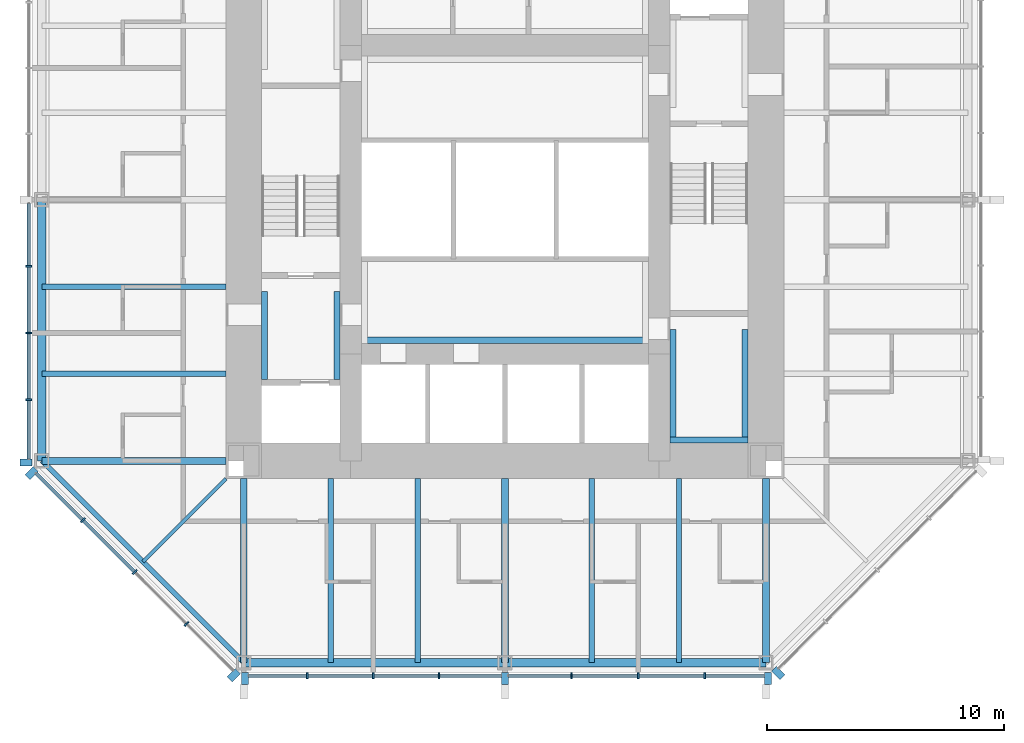
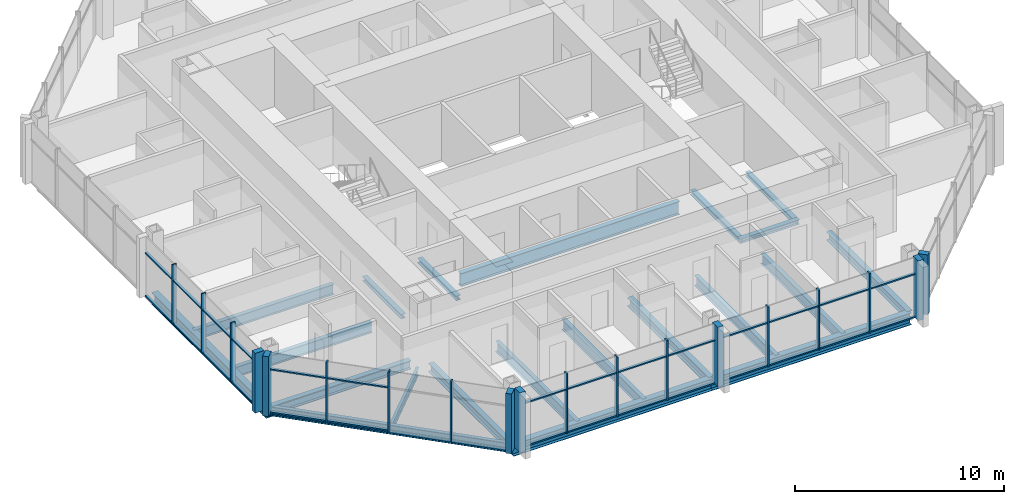
# One storey, part 2 of 12: 47 members, 21 beams, 4 elements without a shape of their own.
"""IFC4 building model written with IfcOpenShell, lengths in metres."""

from ifc_helpers import new_model, si_unit, direction, frame, origin, origin_2d, place, context, subcontext, project, spatial, rectangle, i_section, extrude, material, material_profile, profile_set, type_object, element, aggregate, save


model = new_model("IFC4")

# Units and contexts
model_context = context("Model", 3, precision=1e-05, world=origin(), true_north=direction((0.0, 1.0)))
body_context = subcontext(model_context, "Body", "Model", "MODEL_VIEW")
ifc_project = project(units=[si_unit("LENGTHUNIT", "METRE"), si_unit("AREAUNIT", "SQUARE_METRE"), si_unit("VOLUMEUNIT", "CUBIC_METRE"), si_unit("PLANEANGLEUNIT", "RADIAN"), si_unit("MASSUNIT", "GRAM", prefix="KILO")], contexts=[model_context])

# Site, building, storey
site_placement = place(None, origin())
site = spatial("IfcSite", under=ifc_project, at=site_placement, CompositionType="ELEMENT")
building_placement = place(site_placement, origin())
building = spatial("IfcBuilding", under=site, at=building_placement, Name="Trevanion Tower", CompositionType="ELEMENT")
storey_placement = place(building_placement, frame((0.0, 0.0, 204.699951171875)))
storey = spatial("IfcBuildingStorey", under=building, at=storey_placement, Name="L48", CompositionType="ELEMENT", Elevation=204.699951171875)

# Beams
ifc_material_1 = material(Name="Steel ASTM A992 Grade 50", Category="steel")
ifc_material_profile_1 = material_profile(ifc_material_1, i_section(OverallWidth=0.228271484375, OverallDepth=0.607177734375, WebThickness=0.01123046875, FlangeThickness=0.017333984375, at=origin_2d()), Name="W24X76")
ifc_profile_set_1 = profile_set([ifc_material_profile_1], Name="Steel ASTM A992 Grade 50")
beam_type_1 = type_object("IfcBeamType", Name="B11 W24X76", PredefinedType="BEAM", material=ifc_profile_set_1)
for number, where, z_axis, x_axis, name in (
    (1, (-11.75, -3.666748046875, -0.493408203125), (-1.0, 0.0, 0.0), (0.0, -1.0, 0.0), "B11 L48"),
    (2, (-11.75, -7.333251953125, -0.493408203125), (-1.0, 0.0, 0.0), (0.0, -1.0, 0.0), "B11 L48"),
    (3, (-7.333251953125, -11.75, -0.493408203125), (0.0, -1.0, 0.0), (1.0, 0.0, 0.0), "B11 L48"),
    (4, (-3.666748046875, -11.75, -0.493408203125), (0.0, -1.0, 0.0), (1.0, 0.0, 0.0), "B11 L48"),
    (5, (3.666748046875, -11.75, -0.493408203125), (0.0, -1.0, 0.0), (1.0, 0.0, 0.0), "B11 L48"),
    (6, (7.333251953125, -11.75, -0.493408203125), (0.0, -1.0, 0.0), (1.0, 0.0, 0.0), "B11 L48"),
):
    element("IfcBeam", number, at=place(storey_placement, frame(where, z_axis=z_axis, x_axis=x_axis)), inside=storey, type_object=beam_type_1, Name=name, PredefinedType="BEAM", context=body_context, shape_type="SweptSolid", body=[
        extrude(i_section(OverallWidth=0.228271484375, OverallDepth=0.607177734375, WebThickness=0.01123046875, FlangeThickness=0.017333984375, at=origin_2d()), origin(), (0.0, 0.0, 1.0), 7.75),
    ])
ifc_material_2 = material(Name="Steel ASTM A992 Grade 50", Category="steel")
ifc_material_profile_2 = material_profile(ifc_material_2, i_section(OverallWidth=0.15234375, OverallDepth=0.449462890625, WebThickness=0.007568359375, FlangeThickness=0.0107421875, at=origin_2d()), Name="W18X35")
ifc_profile_set_2 = profile_set([ifc_material_profile_2], Name="Steel ASTM A992 Grade 50")
beam_type_2 = type_object("IfcBeamType", Name="B12 W18X35", PredefinedType="BEAM", material=ifc_profile_set_2)
beam_1_placement = place(storey_placement, frame((-11.75, -11.75, -0.414794921875), z_axis=(-0.707106781187, -0.707106781187, 0.0), x_axis=(0.707106781187, -0.707106781187, 0.0)))
element("IfcBeam", 7, at=beam_1_placement, inside=storey, type_object=beam_type_2, Name="B12 L48", PredefinedType="BEAM", context=body_context, shape_type="SweptSolid", body=[
    extrude(i_section(OverallWidth=0.15234375, OverallDepth=0.449462890625, WebThickness=0.007568359375, FlangeThickness=0.0107421875, at=origin_2d()), origin(), (0.0, 0.0, 1.0), 4.94970703125),
])

# Curtain wall, members
ifc_material_3 = material(Name="Aluminium and glass", Category="aluminium")
curtain_wall_type = type_object("IfcCurtainWallType", Name="CW3 curtain wall", PredefinedType="USERDEFINED", material=ifc_material_3)
curtain_wall_1_placement = place(storey_placement, origin())
curtain_wall_1 = element("IfcCurtainWall", 8, at=curtain_wall_1_placement, inside=storey, type_object=curtain_wall_type, Name="CW3 L48 4", ObjectType="UNITISED CURTAIN WALL", PredefinedType="USERDEFINED")
ifc_material_4 = material(Name="Aluminium extrusion, anodised bronze", Category="aluminium")
ifc_material_profile_3 = material_profile(ifc_material_4, rectangle(XDim=0.074951171875, YDim=0.25, at=origin_2d()), Name="CW3 mullion")
ifc_profile_set_3 = profile_set([ifc_material_profile_3], Name="Aluminium extrusion, anodised bronze")
member_type_1 = type_object("IfcMemberType", Name="CW3 mullion", PredefinedType="MULLION", material=ifc_profile_set_3)
member_1_placement = place(storey_placement, frame((-20.050048828125, -2.806884765625, -0.18994140625), z_axis=(0.0, 0.0, 1.0), x_axis=(0.0, -1.0, 0.0)))
member_1 = element("IfcMember", 9, at=member_1_placement, type_object=member_type_1, Name="CW3 mullion 6", PredefinedType="MULLION", context=body_context, shape_type="SweptSolid", body=[
    extrude(rectangle(XDim=0.074951171875, YDim=0.25, at=origin_2d()), origin(), (0.0, 0.0, 1.0), 3.5),
])
member_2_placement = place(storey_placement, frame((-20.050048828125, -5.614013671875, -0.18994140625), z_axis=(0.0, 0.0, 1.0), x_axis=(0.0, -1.0, 0.0)))
member_2 = element("IfcMember", 10, at=member_2_placement, type_object=member_type_1, Name="CW3 mullion 7", PredefinedType="MULLION", context=body_context, shape_type="SweptSolid", body=[
    extrude(rectangle(XDim=0.074951171875, YDim=0.25, at=origin_2d()), origin(), (0.0, 0.0, 1.0), 3.5),
])
member_3_placement = place(storey_placement, frame((-20.050048828125, -8.4208984375, -0.18994140625), z_axis=(0.0, 0.0, 1.0), x_axis=(0.0, -1.0, 0.0)))
member_3 = element("IfcMember", 11, at=member_3_placement, type_object=member_type_1, Name="CW3 mullion 8", PredefinedType="MULLION", context=body_context, shape_type="SweptSolid", body=[
    extrude(rectangle(XDim=0.074951171875, YDim=0.25, at=origin_2d()), origin(), (0.0, 0.0, 1.0), 3.5),
])

curtain_wall_2_placement = place(storey_placement, origin())
curtain_wall_2 = element("IfcCurtainWall", 12, at=curtain_wall_2_placement, inside=storey, type_object=curtain_wall_type, Name="CW3 L48 5", ObjectType="UNITISED CURTAIN WALL", PredefinedType="USERDEFINED")
member_4_placement = place(storey_placement, frame((-17.775390625, -13.502197265625, -0.18994140625), z_axis=(0.0, 0.0, 1.0), x_axis=(0.707106781187, -0.707106781187, 0.0)))
member_4 = element("IfcMember", 13, at=member_4_placement, type_object=member_type_1, Name="CW3 mullion 2", PredefinedType="MULLION", context=body_context, shape_type="SweptSolid", body=[
    extrude(rectangle(XDim=0.074951171875, YDim=0.25, at=origin_2d()), origin(), (0.0, 0.0, 1.0), 3.5),
])
member_5_placement = place(storey_placement, frame((-15.593017578125, -15.684814453125, -0.18994140625), z_axis=(0.0, 0.0, 1.0), x_axis=(0.707106781187, -0.707106781187, 0.0)))
member_5 = element("IfcMember", 14, at=member_5_placement, type_object=member_type_1, Name="CW3 mullion 3", PredefinedType="MULLION", context=body_context, shape_type="SweptSolid", body=[
    extrude(rectangle(XDim=0.074951171875, YDim=0.25, at=origin_2d()), origin(), (0.0, 0.0, 1.0), 3.5),
])
member_6_placement = place(storey_placement, frame((-13.410400390625, -17.867431640625, -0.18994140625), z_axis=(0.0, 0.0, 1.0), x_axis=(0.707106781187, -0.707106781187, 0.0)))
member_6 = element("IfcMember", 15, at=member_6_placement, type_object=member_type_1, Name="CW3 mullion 4", PredefinedType="MULLION", context=body_context, shape_type="SweptSolid", body=[
    extrude(rectangle(XDim=0.074951171875, YDim=0.25, at=origin_2d()), origin(), (0.0, 0.0, 1.0), 3.5),
])

curtain_wall_3_placement = place(storey_placement, origin())
curtain_wall_3 = element("IfcCurtainWall", 16, at=curtain_wall_3_placement, inside=storey, type_object=curtain_wall_type, Name="CW3 L48 6", ObjectType="UNITISED CURTAIN WALL", PredefinedType="USERDEFINED")
member_7_placement = place(storey_placement, frame((-8.323486328125, -20.050048828125, -0.18994140625), z_axis=(0.0, 0.0, 1.0), x_axis=(1.0, 0.0, 0.0)))
member_7 = element("IfcMember", 17, at=member_7_placement, type_object=member_type_1, Name="CW3 mullion 2", PredefinedType="MULLION", context=body_context, shape_type="SweptSolid", body=[
    extrude(rectangle(XDim=0.074951171875, YDim=0.25, at=origin_2d()), origin(), (0.0, 0.0, 1.0), 3.5),
])
member_8_placement = place(storey_placement, frame((-5.548828125, -20.050048828125, -0.18994140625), z_axis=(0.0, 0.0, 1.0), x_axis=(1.0, 0.0, 0.0)))
member_8 = element("IfcMember", 18, at=member_8_placement, type_object=member_type_1, Name="CW3 mullion 3", PredefinedType="MULLION", context=body_context, shape_type="SweptSolid", body=[
    extrude(rectangle(XDim=0.074951171875, YDim=0.25, at=origin_2d()), origin(), (0.0, 0.0, 1.0), 3.5),
])
member_9_placement = place(storey_placement, frame((-2.7744140625, -20.050048828125, -0.18994140625), z_axis=(0.0, 0.0, 1.0), x_axis=(1.0, 0.0, 0.0)))
member_9 = element("IfcMember", 19, at=member_9_placement, type_object=member_type_1, Name="CW3 mullion 4", PredefinedType="MULLION", context=body_context, shape_type="SweptSolid", body=[
    extrude(rectangle(XDim=0.074951171875, YDim=0.25, at=origin_2d()), origin(), (0.0, 0.0, 1.0), 3.5),
])
member_10_placement = place(storey_placement, frame((2.806884765625, -20.050048828125, -0.18994140625), z_axis=(0.0, 0.0, 1.0), x_axis=(1.0, 0.0, 0.0)))
member_10 = element("IfcMember", 20, at=member_10_placement, type_object=member_type_1, Name="CW3 mullion 6", PredefinedType="MULLION", context=body_context, shape_type="SweptSolid", body=[
    extrude(rectangle(XDim=0.074951171875, YDim=0.25, at=origin_2d()), origin(), (0.0, 0.0, 1.0), 3.5),
])
member_11_placement = place(storey_placement, frame((5.614013671875, -20.050048828125, -0.18994140625), z_axis=(0.0, 0.0, 1.0), x_axis=(1.0, 0.0, 0.0)))
member_11 = element("IfcMember", 21, at=member_11_placement, type_object=member_type_1, Name="CW3 mullion 7", PredefinedType="MULLION", context=body_context, shape_type="SweptSolid", body=[
    extrude(rectangle(XDim=0.074951171875, YDim=0.25, at=origin_2d()), origin(), (0.0, 0.0, 1.0), 3.5),
])
member_12_placement = place(storey_placement, frame((8.4208984375, -20.050048828125, -0.18994140625), z_axis=(0.0, 0.0, 1.0), x_axis=(1.0, 0.0, 0.0)))
member_12 = element("IfcMember", 22, at=member_12_placement, type_object=member_type_1, Name="CW3 mullion 8", PredefinedType="MULLION", context=body_context, shape_type="SweptSolid", body=[
    extrude(rectangle(XDim=0.074951171875, YDim=0.25, at=origin_2d()), origin(), (0.0, 0.0, 1.0), 3.5),
])

# Member
ifc_material_5 = material(Name="Aluminium extrusion, anodised bronze", Category="aluminium")
ifc_material_profile_4 = material_profile(ifc_material_5, rectangle(XDim=0.300048828125, YDim=0.5, at=origin_2d()), Name="CW3 pier mullion")
ifc_profile_set_4 = profile_set([ifc_material_profile_4], Name="Aluminium extrusion, anodised bronze")
member_type_2 = type_object("IfcMemberType", Name="CW3 pier mullion", PredefinedType="MULLION", material=ifc_profile_set_4)
member_13_placement = place(storey_placement, frame((-20.175048828125, -11.077880859375, -0.18994140625), z_axis=(0.0, 0.0, 1.0), x_axis=(0.0, -1.0, 0.0)))
member_13 = element("IfcMember", 23, at=member_13_placement, type_object=member_type_2, Name="CW3 pier mullion 9", PredefinedType="MULLION", context=body_context, shape_type="SweptSolid", body=[
    extrude(rectangle(XDim=0.300048828125, YDim=0.5, at=origin_2d()), origin(), (0.0, 0.0, 1.0), 3.5),
])

member_14_placement = place(storey_placement, frame((-19.9404296875, -11.51416015625, -0.18994140625), z_axis=(0.0, 0.0, 1.0), x_axis=(0.707106781187, -0.707106781187, 0.0)))
member_14 = element("IfcMember", 24, at=member_14_placement, type_object=member_type_2, Name="CW3 pier mullion 1", PredefinedType="MULLION", context=body_context, shape_type="SweptSolid", body=[
    extrude(rectangle(XDim=0.300048828125, YDim=0.5, at=origin_2d()), origin(), (0.0, 0.0, 1.0), 3.5),
])

member_15_placement = place(storey_placement, frame((-11.42236328125, -20.0322265625, -0.18994140625), z_axis=(0.0, 0.0, 1.0), x_axis=(0.707106781187, -0.707106781187, 0.0)))
member_15 = element("IfcMember", 25, at=member_15_placement, type_object=member_type_2, Name="CW3 pier mullion 5", PredefinedType="MULLION", context=body_context, shape_type="SweptSolid", body=[
    extrude(rectangle(XDim=0.300048828125, YDim=0.5, at=origin_2d()), origin(), (0.0, 0.0, 1.0), 3.5),
])

member_16_placement = place(storey_placement, frame((-10.94775390625, -20.175048828125, -0.18994140625), z_axis=(0.0, 0.0, 1.0), x_axis=(1.0, 0.0, 0.0)))
member_16 = element("IfcMember", 26, at=member_16_placement, type_object=member_type_2, Name="CW3 pier mullion 1", PredefinedType="MULLION", context=body_context, shape_type="SweptSolid", body=[
    extrude(rectangle(XDim=0.300048828125, YDim=0.5, at=origin_2d()), origin(), (0.0, 0.0, 1.0), 3.5),
])

member_17_placement = place(storey_placement, frame((0.0, -20.175048828125, -0.18994140625), z_axis=(0.0, 0.0, 1.0), x_axis=(1.0, 0.0, 0.0)))
member_17 = element("IfcMember", 27, at=member_17_placement, type_object=member_type_2, Name="CW3 pier mullion 5", PredefinedType="MULLION", context=body_context, shape_type="SweptSolid", body=[
    extrude(rectangle(XDim=0.300048828125, YDim=0.5, at=origin_2d()), origin(), (0.0, 0.0, 1.0), 3.5),
])

member_18_placement = place(storey_placement, frame((11.077880859375, -20.175048828125, -0.18994140625), z_axis=(0.0, 0.0, 1.0), x_axis=(1.0, 0.0, 0.0)))
member_18 = element("IfcMember", 28, at=member_18_placement, type_object=member_type_2, Name="CW3 pier mullion 9", PredefinedType="MULLION", context=body_context, shape_type="SweptSolid", body=[
    extrude(rectangle(XDim=0.300048828125, YDim=0.5, at=origin_2d()), origin(), (0.0, 0.0, 1.0), 3.5),
])

# Curtain wall, member
curtain_wall_4_placement = place(storey_placement, origin())
curtain_wall_4 = element("IfcCurtainWall", 29, at=curtain_wall_4_placement, inside=storey, type_object=curtain_wall_type, Name="CW3 L48 7", ObjectType="UNITISED CURTAIN WALL", PredefinedType="USERDEFINED")
member_19_placement = place(storey_placement, frame((11.51416015625, -19.9404296875, -0.18994140625), z_axis=(0.0, 0.0, 1.0), x_axis=(0.707106781187, 0.707106781187, 0.0)))
member_19 = element("IfcMember", 30, at=member_19_placement, type_object=member_type_2, Name="CW3 pier mullion 1", PredefinedType="MULLION", context=body_context, shape_type="SweptSolid", body=[
    extrude(rectangle(XDim=0.300048828125, YDim=0.5, at=origin_2d()), origin(), (0.0, 0.0, 1.0), 3.5),
])
aggregate(curtain_wall_4, [member_19])

# Member
ifc_material_6 = material(Name="Aluminium extrusion, anodised bronze", Category="aluminium")
ifc_material_profile_5 = material_profile(ifc_material_6, rectangle(XDim=0.14990234375, YDim=0.074951171875, at=origin_2d()), Name="CW3 transom")
ifc_profile_set_5 = profile_set([ifc_material_profile_5], Name="Aluminium extrusion, anodised bronze")
member_type_3 = type_object("IfcMemberType", Name="CW3 transom", PredefinedType="USERDEFINED", material=ifc_profile_set_5)
member_20_placement = place(storey_placement, frame((-20.050048828125, -0.14990234375, -0.15234375), z_axis=(0.0, -1.0, 0.0), x_axis=(1.0, 0.0, 0.0)))
member_20 = element("IfcMember", 31, at=member_20_placement, type_object=member_type_3, Name="CW3 transom 5.1", ObjectType="TRANSOM", PredefinedType="USERDEFINED", context=body_context, shape_type="SweptSolid", body=[
    extrude(rectangle(XDim=0.14990234375, YDim=0.074951171875, at=origin_2d()), origin(), (0.0, 0.0, 1.0), 2.619384765625),
])

member_21_placement = place(storey_placement, frame((-20.050048828125, -0.14990234375, 2.360107421875), z_axis=(0.0, -1.0, 0.0), x_axis=(1.0, 0.0, 0.0)))
member_21 = element("IfcMember", 32, at=member_21_placement, type_object=member_type_3, Name="CW3 transom 5.2", ObjectType="TRANSOM", PredefinedType="USERDEFINED", context=body_context, shape_type="SweptSolid", body=[
    extrude(rectangle(XDim=0.14990234375, YDim=0.074951171875, at=origin_2d()), origin(), (0.0, 0.0, 1.0), 2.619384765625),
])

member_22_placement = place(storey_placement, frame((-20.050048828125, -2.844482421875, -0.15234375), z_axis=(0.0, -1.0, 0.0), x_axis=(1.0, 0.0, 0.0)))
member_22 = element("IfcMember", 33, at=member_22_placement, type_object=member_type_3, Name="CW3 transom 6.1", ObjectType="TRANSOM", PredefinedType="USERDEFINED", context=body_context, shape_type="SweptSolid", body=[
    extrude(rectangle(XDim=0.14990234375, YDim=0.074951171875, at=origin_2d()), origin(), (0.0, 0.0, 1.0), 2.73193359375),
])

member_23_placement = place(storey_placement, frame((-20.050048828125, -2.844482421875, 2.360107421875), z_axis=(0.0, -1.0, 0.0), x_axis=(1.0, 0.0, 0.0)))
member_23 = element("IfcMember", 34, at=member_23_placement, type_object=member_type_3, Name="CW3 transom 6.2", ObjectType="TRANSOM", PredefinedType="USERDEFINED", context=body_context, shape_type="SweptSolid", body=[
    extrude(rectangle(XDim=0.14990234375, YDim=0.074951171875, at=origin_2d()), origin(), (0.0, 0.0, 1.0), 2.73193359375),
])

member_24_placement = place(storey_placement, frame((-20.050048828125, -5.6513671875, -0.15234375), z_axis=(0.0, -1.0, 0.0), x_axis=(1.0, 0.0, 0.0)))
member_24 = element("IfcMember", 35, at=member_24_placement, type_object=member_type_3, Name="CW3 transom 7.1", ObjectType="TRANSOM", PredefinedType="USERDEFINED", context=body_context, shape_type="SweptSolid", body=[
    extrude(rectangle(XDim=0.14990234375, YDim=0.074951171875, at=origin_2d()), origin(), (0.0, 0.0, 1.0), 2.73193359375),
])

member_25_placement = place(storey_placement, frame((-20.050048828125, -5.6513671875, 2.360107421875), z_axis=(0.0, -1.0, 0.0), x_axis=(1.0, 0.0, 0.0)))
member_25 = element("IfcMember", 36, at=member_25_placement, type_object=member_type_3, Name="CW3 transom 7.2", ObjectType="TRANSOM", PredefinedType="USERDEFINED", context=body_context, shape_type="SweptSolid", body=[
    extrude(rectangle(XDim=0.14990234375, YDim=0.074951171875, at=origin_2d()), origin(), (0.0, 0.0, 1.0), 2.73193359375),
])

member_26_placement = place(storey_placement, frame((-20.050048828125, -8.45849609375, -0.15234375), z_axis=(0.0, -1.0, 0.0), x_axis=(1.0, 0.0, 0.0)))
member_26 = element("IfcMember", 37, at=member_26_placement, type_object=member_type_3, Name="CW3 transom 8.1", ObjectType="TRANSOM", PredefinedType="USERDEFINED", context=body_context, shape_type="SweptSolid", body=[
    extrude(rectangle(XDim=0.14990234375, YDim=0.074951171875, at=origin_2d()), origin(), (0.0, 0.0, 1.0), 2.46923828125),
])

member_27_placement = place(storey_placement, frame((-20.050048828125, -8.45849609375, 2.360107421875), z_axis=(0.0, -1.0, 0.0), x_axis=(1.0, 0.0, 0.0)))
member_27 = element("IfcMember", 38, at=member_27_placement, type_object=member_type_3, Name="CW3 transom 8.2", ObjectType="TRANSOM", PredefinedType="USERDEFINED", context=body_context, shape_type="SweptSolid", body=[
    extrude(rectangle(XDim=0.14990234375, YDim=0.074951171875, at=origin_2d()), origin(), (0.0, 0.0, 1.0), 2.46923828125),
])

aggregate(curtain_wall_1, [member_1, member_2, member_3, member_13, member_20, member_21, member_22, member_23, member_24, member_25, member_26, member_27])

member_28_placement = place(storey_placement, frame((-19.745849609375, -11.531982421875, -0.15234375), z_axis=(0.707106781187, -0.707106781187, 0.0), x_axis=(0.707106781187, 0.707106781187, 0.0)))
member_28 = element("IfcMember", 39, at=member_28_placement, type_object=member_type_3, Name="CW3 transom 1.1", ObjectType="TRANSOM", PredefinedType="USERDEFINED", context=body_context, shape_type="SweptSolid", body=[
    extrude(rectangle(XDim=0.14990234375, YDim=0.074951171875, at=origin_2d()), origin(), (0.0, 0.0, 1.0), 2.7490234375),
])

member_29_placement = place(storey_placement, frame((-19.745849609375, -11.531982421875, 2.360107421875), z_axis=(0.707106781187, -0.707106781187, 0.0), x_axis=(0.707106781187, 0.707106781187, 0.0)))
member_29 = element("IfcMember", 40, at=member_29_placement, type_object=member_type_3, Name="CW3 transom 1.2", ObjectType="TRANSOM", PredefinedType="USERDEFINED", context=body_context, shape_type="SweptSolid", body=[
    extrude(rectangle(XDim=0.14990234375, YDim=0.074951171875, at=origin_2d()), origin(), (0.0, 0.0, 1.0), 2.7490234375),
])

member_30_placement = place(storey_placement, frame((-17.7490234375, -13.52880859375, -0.15234375), z_axis=(0.707106781187, -0.707106781187, 0.0), x_axis=(0.707106781187, 0.707106781187, 0.0)))
member_30 = element("IfcMember", 41, at=member_30_placement, type_object=member_type_3, Name="CW3 transom 2.1", ObjectType="TRANSOM", PredefinedType="USERDEFINED", context=body_context, shape_type="SweptSolid", body=[
    extrude(rectangle(XDim=0.14990234375, YDim=0.074951171875, at=origin_2d()), origin(), (0.0, 0.0, 1.0), 3.01171875),
])

member_31_placement = place(storey_placement, frame((-17.7490234375, -13.52880859375, 2.360107421875), z_axis=(0.707106781187, -0.707106781187, 0.0), x_axis=(0.707106781187, 0.707106781187, 0.0)))
member_31 = element("IfcMember", 42, at=member_31_placement, type_object=member_type_3, Name="CW3 transom 2.2", ObjectType="TRANSOM", PredefinedType="USERDEFINED", context=body_context, shape_type="SweptSolid", body=[
    extrude(rectangle(XDim=0.14990234375, YDim=0.074951171875, at=origin_2d()), origin(), (0.0, 0.0, 1.0), 3.01171875),
])

aggregate(curtain_wall_2, [member_14, member_4, member_5, member_6, member_15, member_28, member_29, member_30, member_31])

member_32_placement = place(storey_placement, frame((-10.7978515625, -20.050048828125, -0.15234375), z_axis=(1.0, 0.0, 0.0), x_axis=(0.0, 1.0, 0.0)))
member_32 = element("IfcMember", 43, at=member_32_placement, type_object=member_type_3, Name="CW3 transom 1.1", ObjectType="TRANSOM", PredefinedType="USERDEFINED", context=body_context, shape_type="SweptSolid", body=[
    extrude(rectangle(XDim=0.14990234375, YDim=0.074951171875, at=origin_2d()), origin(), (0.0, 0.0, 1.0), 2.43701171875),
])

member_33_placement = place(storey_placement, frame((-10.7978515625, -20.050048828125, 2.360107421875), z_axis=(1.0, 0.0, 0.0), x_axis=(0.0, 1.0, 0.0)))
member_33 = element("IfcMember", 44, at=member_33_placement, type_object=member_type_3, Name="CW3 transom 1.2", ObjectType="TRANSOM", PredefinedType="USERDEFINED", context=body_context, shape_type="SweptSolid", body=[
    extrude(rectangle(XDim=0.14990234375, YDim=0.074951171875, at=origin_2d()), origin(), (0.0, 0.0, 1.0), 2.43701171875),
])

member_34_placement = place(storey_placement, frame((-8.285888671875, -20.050048828125, -0.15234375), z_axis=(1.0, 0.0, 0.0), x_axis=(0.0, 1.0, 0.0)))
member_34 = element("IfcMember", 45, at=member_34_placement, type_object=member_type_3, Name="CW3 transom 2.1", ObjectType="TRANSOM", PredefinedType="USERDEFINED", context=body_context, shape_type="SweptSolid", body=[
    extrude(rectangle(XDim=0.14990234375, YDim=0.074951171875, at=origin_2d()), origin(), (0.0, 0.0, 1.0), 2.699462890625),
])

member_35_placement = place(storey_placement, frame((-8.285888671875, -20.050048828125, 2.360107421875), z_axis=(1.0, 0.0, 0.0), x_axis=(0.0, 1.0, 0.0)))
member_35 = element("IfcMember", 46, at=member_35_placement, type_object=member_type_3, Name="CW3 transom 2.2", ObjectType="TRANSOM", PredefinedType="USERDEFINED", context=body_context, shape_type="SweptSolid", body=[
    extrude(rectangle(XDim=0.14990234375, YDim=0.074951171875, at=origin_2d()), origin(), (0.0, 0.0, 1.0), 2.699462890625),
])

member_36_placement = place(storey_placement, frame((-5.511474609375, -20.050048828125, -0.15234375), z_axis=(1.0, 0.0, 0.0), x_axis=(0.0, 1.0, 0.0)))
member_36 = element("IfcMember", 47, at=member_36_placement, type_object=member_type_3, Name="CW3 transom 3.1", ObjectType="TRANSOM", PredefinedType="USERDEFINED", context=body_context, shape_type="SweptSolid", body=[
    extrude(rectangle(XDim=0.14990234375, YDim=0.074951171875, at=origin_2d()), origin(), (0.0, 0.0, 1.0), 2.699462890625),
])

member_37_placement = place(storey_placement, frame((-5.511474609375, -20.050048828125, 2.360107421875), z_axis=(1.0, 0.0, 0.0), x_axis=(0.0, 1.0, 0.0)))
member_37 = element("IfcMember", 48, at=member_37_placement, type_object=member_type_3, Name="CW3 transom 3.2", ObjectType="TRANSOM", PredefinedType="USERDEFINED", context=body_context, shape_type="SweptSolid", body=[
    extrude(rectangle(XDim=0.14990234375, YDim=0.074951171875, at=origin_2d()), origin(), (0.0, 0.0, 1.0), 2.699462890625),
])

member_38_placement = place(storey_placement, frame((-2.737060546875, -20.050048828125, -0.15234375), z_axis=(1.0, 0.0, 0.0), x_axis=(0.0, 1.0, 0.0)))
member_38 = element("IfcMember", 49, at=member_38_placement, type_object=member_type_3, Name="CW3 transom 4.1", ObjectType="TRANSOM", PredefinedType="USERDEFINED", context=body_context, shape_type="SweptSolid", body=[
    extrude(rectangle(XDim=0.14990234375, YDim=0.074951171875, at=origin_2d()), origin(), (0.0, 0.0, 1.0), 2.587158203125),
])

member_39_placement = place(storey_placement, frame((-2.737060546875, -20.050048828125, 2.360107421875), z_axis=(1.0, 0.0, 0.0), x_axis=(0.0, 1.0, 0.0)))
member_39 = element("IfcMember", 50, at=member_39_placement, type_object=member_type_3, Name="CW3 transom 4.2", ObjectType="TRANSOM", PredefinedType="USERDEFINED", context=body_context, shape_type="SweptSolid", body=[
    extrude(rectangle(XDim=0.14990234375, YDim=0.074951171875, at=origin_2d()), origin(), (0.0, 0.0, 1.0), 2.587158203125),
])

member_40_placement = place(storey_placement, frame((0.14990234375, -20.050048828125, -0.15234375), z_axis=(1.0, 0.0, 0.0), x_axis=(0.0, 1.0, 0.0)))
member_40 = element("IfcMember", 51, at=member_40_placement, type_object=member_type_3, Name="CW3 transom 5.1", ObjectType="TRANSOM", PredefinedType="USERDEFINED", context=body_context, shape_type="SweptSolid", body=[
    extrude(rectangle(XDim=0.14990234375, YDim=0.074951171875, at=origin_2d()), origin(), (0.0, 0.0, 1.0), 2.619384765625),
])

member_41_placement = place(storey_placement, frame((0.14990234375, -20.050048828125, 2.360107421875), z_axis=(1.0, 0.0, 0.0), x_axis=(0.0, 1.0, 0.0)))
member_41 = element("IfcMember", 52, at=member_41_placement, type_object=member_type_3, Name="CW3 transom 5.2", ObjectType="TRANSOM", PredefinedType="USERDEFINED", context=body_context, shape_type="SweptSolid", body=[
    extrude(rectangle(XDim=0.14990234375, YDim=0.074951171875, at=origin_2d()), origin(), (0.0, 0.0, 1.0), 2.619384765625),
])

member_42_placement = place(storey_placement, frame((2.844482421875, -20.050048828125, -0.15234375), z_axis=(1.0, 0.0, 0.0), x_axis=(0.0, 1.0, 0.0)))
member_42 = element("IfcMember", 53, at=member_42_placement, type_object=member_type_3, Name="CW3 transom 6.1", ObjectType="TRANSOM", PredefinedType="USERDEFINED", context=body_context, shape_type="SweptSolid", body=[
    extrude(rectangle(XDim=0.14990234375, YDim=0.074951171875, at=origin_2d()), origin(), (0.0, 0.0, 1.0), 2.73193359375),
])

member_43_placement = place(storey_placement, frame((2.844482421875, -20.050048828125, 2.360107421875), z_axis=(1.0, 0.0, 0.0), x_axis=(0.0, 1.0, 0.0)))
member_43 = element("IfcMember", 54, at=member_43_placement, type_object=member_type_3, Name="CW3 transom 6.2", ObjectType="TRANSOM", PredefinedType="USERDEFINED", context=body_context, shape_type="SweptSolid", body=[
    extrude(rectangle(XDim=0.14990234375, YDim=0.074951171875, at=origin_2d()), origin(), (0.0, 0.0, 1.0), 2.73193359375),
])

member_44_placement = place(storey_placement, frame((5.6513671875, -20.050048828125, -0.15234375), z_axis=(1.0, 0.0, 0.0), x_axis=(0.0, 1.0, 0.0)))
member_44 = element("IfcMember", 55, at=member_44_placement, type_object=member_type_3, Name="CW3 transom 7.1", ObjectType="TRANSOM", PredefinedType="USERDEFINED", context=body_context, shape_type="SweptSolid", body=[
    extrude(rectangle(XDim=0.14990234375, YDim=0.074951171875, at=origin_2d()), origin(), (0.0, 0.0, 1.0), 2.73193359375),
])

member_45_placement = place(storey_placement, frame((5.6513671875, -20.050048828125, 2.360107421875), z_axis=(1.0, 0.0, 0.0), x_axis=(0.0, 1.0, 0.0)))
member_45 = element("IfcMember", 56, at=member_45_placement, type_object=member_type_3, Name="CW3 transom 7.2", ObjectType="TRANSOM", PredefinedType="USERDEFINED", context=body_context, shape_type="SweptSolid", body=[
    extrude(rectangle(XDim=0.14990234375, YDim=0.074951171875, at=origin_2d()), origin(), (0.0, 0.0, 1.0), 2.73193359375),
])

member_46_placement = place(storey_placement, frame((8.45849609375, -20.050048828125, -0.15234375), z_axis=(1.0, 0.0, 0.0), x_axis=(0.0, 1.0, 0.0)))
member_46 = element("IfcMember", 57, at=member_46_placement, type_object=member_type_3, Name="CW3 transom 8.1", ObjectType="TRANSOM", PredefinedType="USERDEFINED", context=body_context, shape_type="SweptSolid", body=[
    extrude(rectangle(XDim=0.14990234375, YDim=0.074951171875, at=origin_2d()), origin(), (0.0, 0.0, 1.0), 2.46923828125),
])

member_47_placement = place(storey_placement, frame((8.45849609375, -20.050048828125, 2.360107421875), z_axis=(1.0, 0.0, 0.0), x_axis=(0.0, 1.0, 0.0)))
member_47 = element("IfcMember", 58, at=member_47_placement, type_object=member_type_3, Name="CW3 transom 8.2", ObjectType="TRANSOM", PredefinedType="USERDEFINED", context=body_context, shape_type="SweptSolid", body=[
    extrude(rectangle(XDim=0.14990234375, YDim=0.074951171875, at=origin_2d()), origin(), (0.0, 0.0, 1.0), 2.46923828125),
])

aggregate(curtain_wall_3, [member_16, member_7, member_8, member_9, member_17, member_10, member_11, member_12, member_18, member_32, member_33, member_34, member_35, member_36, member_37, member_38, member_39, member_40, member_41, member_42, member_43, member_44, member_45, member_46, member_47])

# Beams
ifc_material_7 = material(Name="Steel ASTM A992 Grade 50", Category="steel")
ifc_material_profile_6 = material_profile(ifc_material_7, i_section(OverallWidth=0.28955078125, OverallDepth=0.508056640625, WebThickness=0.022705078125, FlangeThickness=0.040283203125, at=origin_2d()), Name="W18X175")
ifc_profile_set_6 = profile_set([ifc_material_profile_6], Name="Steel ASTM A992 Grade 50")
beam_type_3 = type_object("IfcBeamType", Name="G6 W18X175", PredefinedType="BEAM", material=ifc_profile_set_6)
for number, where, z_axis, x_axis, name in (
    (59, (-11.75, -11.0, -0.44384765625), (-1.0, 0.0, 0.0), (0.0, -1.0, 0.0), "G6 L48"),
    (60, (-11.0, -11.75, -0.44384765625), (0.0, -1.0, 0.0), (1.0, 0.0, 0.0), "G6 L48"),
    (61, (0.0, -11.75, -0.44384765625), (0.0, -1.0, 0.0), (1.0, 0.0, 0.0), "G6 L48"),
    (62, (11.0, -11.75, -0.44384765625), (0.0, -1.0, 0.0), (1.0, 0.0, 0.0), "G6 L48"),
):
    element("IfcBeam", number, at=place(storey_placement, frame(where, z_axis=z_axis, x_axis=x_axis)), inside=storey, type_object=beam_type_3, Name=name, PredefinedType="BEAM", context=body_context, shape_type="SweptSolid", body=[
        extrude(i_section(OverallWidth=0.28955078125, OverallDepth=0.508056640625, WebThickness=0.022705078125, FlangeThickness=0.040283203125, at=origin_2d()), origin(), (0.0, 0.0, 1.0), 7.75),
    ])
ifc_material_8 = material(Name="Steel ASTM A992 Grade 50", Category="steel")
ifc_material_profile_7 = material_profile(ifc_material_8, i_section(OverallWidth=0.256591796875, OverallDepth=0.26416015625, WebThickness=0.011962890625, FlangeThickness=0.01953125, at=origin_2d()), Name="W10X68")
ifc_profile_set_7 = profile_set([ifc_material_profile_7], Name="Steel ASTM A992 Grade 50")
beam_type_4 = type_object("IfcBeamType", Name="LB1 W10X68", PredefinedType="BEAM", material=ifc_profile_set_7)
for number, where, z_axis, x_axis, name in (
    (63, (-10.12158203125, -7.574951171875, -0.33203125), (0.0, 1.0, 0.0), (-1.0, 0.0, 0.0), "LB1 L48"),
    (64, (-7.078369140625, -7.574951171875, -0.33203125), (0.0, 1.0, 0.0), (-1.0, 0.0, 0.0), "LB1 L48"),
):
    element("IfcBeam", number, at=place(storey_placement, frame(where, z_axis=z_axis, x_axis=x_axis)), inside=storey, type_object=beam_type_4, Name=name, PredefinedType="BEAM", context=body_context, shape_type="SweptSolid", body=[
        extrude(i_section(OverallWidth=0.256591796875, OverallDepth=0.26416015625, WebThickness=0.011962890625, FlangeThickness=0.01953125, at=origin_2d()), origin(), (0.0, 0.0, 1.0), 3.699951171875),
    ])
for number, where, z_axis, x_axis, name in (
    (65, (7.078369140625, -10.25, -0.33203125), (0.0, 1.0, 0.0), (-1.0, 0.0, 0.0), "LB1 L48"),
    (66, (10.12158203125, -10.25, -0.33203125), (0.0, 1.0, 0.0), (-1.0, 0.0, 0.0), "LB1 L48"),
):
    element("IfcBeam", number, at=place(storey_placement, frame(where, z_axis=z_axis, x_axis=x_axis)), inside=storey, type_object=beam_type_4, Name=name, PredefinedType="BEAM", context=body_context, shape_type="SweptSolid", body=[
        extrude(i_section(OverallWidth=0.256591796875, OverallDepth=0.26416015625, WebThickness=0.011962890625, FlangeThickness=0.01953125, at=origin_2d()), origin(), (0.0, 0.0, 1.0), 4.77490234375),
    ])
beam_2_placement = place(storey_placement, frame((6.949951171875, -10.12158203125, -0.33203125), z_axis=(1.0, 0.0, 0.0), x_axis=(0.0, 1.0, 0.0)))
element("IfcBeam", 67, at=beam_2_placement, inside=storey, type_object=beam_type_4, Name="LB1 L48", PredefinedType="BEAM", context=body_context, shape_type="SweptSolid", body=[
    extrude(i_section(OverallWidth=0.256591796875, OverallDepth=0.26416015625, WebThickness=0.011962890625, FlangeThickness=0.01953125, at=origin_2d()), origin(), (0.0, 0.0, 1.0), 3.300048828125),
])
ifc_material_9 = material(Name="Steel ASTM A992 Grade 50", Category="steel")
ifc_material_profile_8 = material_profile(ifc_material_9, i_section(OverallWidth=0.2666015625, OverallDepth=0.76953125, WebThickness=0.015625, FlangeThickness=0.025390625, at=origin_2d()), Name="W30X132")
ifc_profile_set_8 = profile_set([ifc_material_profile_8], Name="Steel ASTM A992 Grade 50")
beam_type_5 = type_object("IfcBeamType", Name="LB3 W30X132", PredefinedType="BEAM", material=ifc_profile_set_8)
beam_3_placement = place(storey_placement, frame((-6.050048828125, -5.91650390625, -0.584716796875), z_axis=(1.0, 0.0, 0.0), x_axis=(0.0, 1.0, 0.0)))
element("IfcBeam", 68, at=beam_3_placement, inside=storey, type_object=beam_type_5, Name="LB3 L48", PredefinedType="BEAM", context=body_context, shape_type="SweptSolid", body=[
    extrude(i_section(OverallWidth=0.2666015625, OverallDepth=0.76953125, WebThickness=0.015625, FlangeThickness=0.025390625, at=origin_2d()), origin(), (0.0, 0.0, 1.0), 12.10009765625),
])
ifc_material_10 = material(Name="Steel ASTM A992 Grade 50", Category="steel")
ifc_material_profile_9 = material_profile(ifc_material_10, i_section(OverallWidth=0.355712890625, OverallDepth=0.696044921875, WebThickness=0.015380859375, FlangeThickness=0.024658203125, at=origin_2d()), Name="W27X146")
ifc_profile_set_9 = profile_set([ifc_material_profile_9], Name="Steel ASTM A992 Grade 50")
beam_type_6 = type_object("IfcBeamType", Name="SB8 W27X146", PredefinedType="SPANDREL", material=ifc_profile_set_9)
for number, where, z_axis, x_axis, name in (
    (69, (-19.5, 0.0, -0.537841796875), (0.0, -1.0, 0.0), (1.0, 0.0, 0.0), "SB8 L48"),
    (70, (-11.0, -19.5, -0.537841796875), (1.0, 0.0, 0.0), (0.0, 1.0, 0.0), "SB8 L48"),
    (71, (0.0, -19.5, -0.537841796875), (1.0, 0.0, 0.0), (0.0, 1.0, 0.0), "SB8 L48"),
):
    element("IfcBeam", number, at=place(storey_placement, frame(where, z_axis=z_axis, x_axis=x_axis)), inside=storey, type_object=beam_type_6, Name=name, PredefinedType="SPANDREL", context=body_context, shape_type="SweptSolid", body=[
        extrude(i_section(OverallWidth=0.355712890625, OverallDepth=0.696044921875, WebThickness=0.015380859375, FlangeThickness=0.024658203125, at=origin_2d()), origin(), (0.0, 0.0, 1.0), 11.0),
    ])
ifc_material_11 = material(Name="Steel ASTM A992 Grade 50", Category="steel")
ifc_material_profile_10 = material_profile(ifc_material_11, i_section(OverallWidth=0.209228515625, OverallDepth=0.533447265625, WebThickness=0.01025390625, FlangeThickness=0.015625, at=origin_2d()), Name="W21X62")
ifc_profile_set_10 = profile_set([ifc_material_profile_10], Name="Steel ASTM A992 Grade 50")
beam_type_7 = type_object("IfcBeamType", Name="SB9 W21X62", PredefinedType="SPANDREL", material=ifc_profile_set_10)
beam_4_placement = place(storey_placement, frame((-19.5, -11.0, -0.45654296875), z_axis=(0.707106781187, -0.707106781187, 0.0), x_axis=(0.707106781187, 0.707106781187, 0.0)))
element("IfcBeam", 72, at=beam_4_placement, inside=storey, type_object=beam_type_7, Name="SB9 L48", PredefinedType="SPANDREL", context=body_context, shape_type="SweptSolid", body=[
    extrude(i_section(OverallWidth=0.209228515625, OverallDepth=0.533447265625, WebThickness=0.01025390625, FlangeThickness=0.015625, at=origin_2d()), origin(), (0.0, 0.0, 1.0), 12.020751953125),
])

save(model, "model.ifc")
